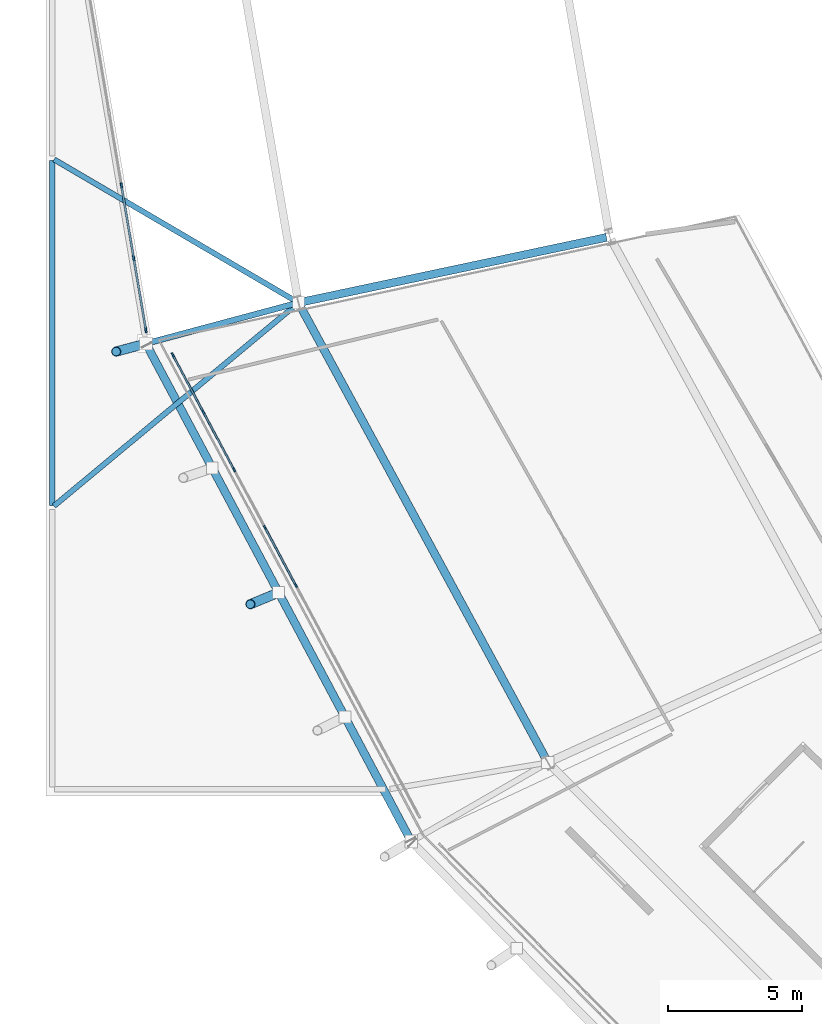
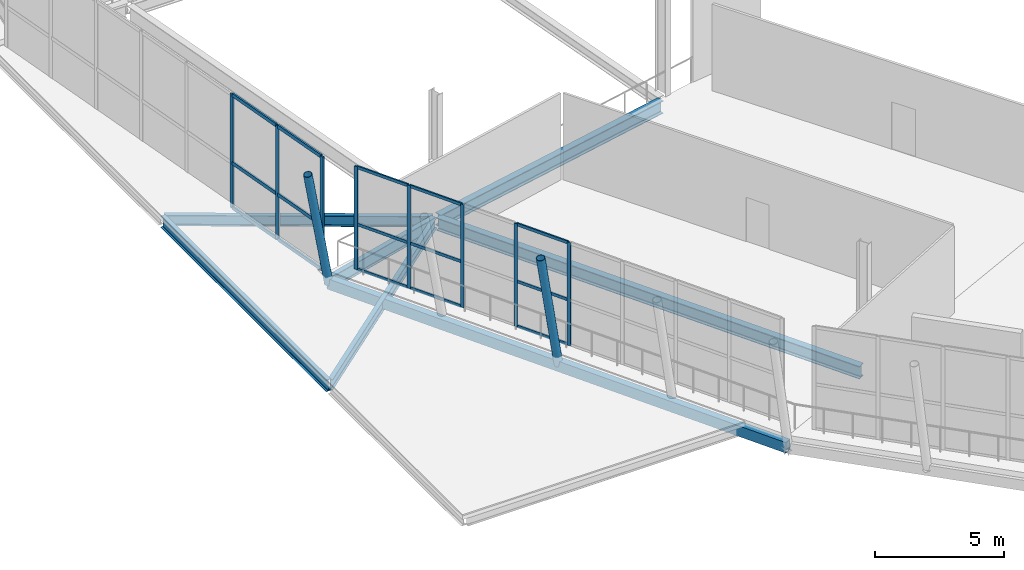
# One storey, part 18 of 99: 25 members, 7 beams, 2 elements without a shape of their own.
"""IFC4 building model written with IfcOpenShell, lengths in metres."""

from ifc_helpers import new_model, si_unit, direction, frame, origin, origin_2d, place, context, subcontext, project, spatial, rectangle, hollow_rectangle, hollow_circle, i_section, extrude, material, material_profile, profile_set, type_object, element, aggregate, save


model = new_model("IFC4")

# Units and contexts
model_context = context("Model", 3, precision=1e-05, world=origin(), true_north=direction((0.0, 1.0)))
body_context = subcontext(model_context, "Body", "Model", "MODEL_VIEW")
ifc_project = project(units=[si_unit("LENGTHUNIT", "METRE"), si_unit("AREAUNIT", "SQUARE_METRE"), si_unit("VOLUMEUNIT", "CUBIC_METRE"), si_unit("PLANEANGLEUNIT", "RADIAN"), si_unit("MASSUNIT", "GRAM", prefix="KILO")], contexts=[model_context])

# Site, building, storey
site_placement = place(None, origin())
site = spatial("IfcSite", under=ifc_project, at=site_placement, CompositionType="ELEMENT")
building_placement = place(site_placement, origin())
building = spatial("IfcBuilding", under=site, at=building_placement, Name="Zlatoyarsky Gate Stadium", CompositionType="ELEMENT")
storey_placement = place(building_placement, frame((0.0, 0.0, 26.199951171875)))
storey = spatial("IfcBuildingStorey", under=building, at=storey_placement, Name="L05", CompositionType="ELEMENT", Elevation=26.199951171875)

# Curtain wall, members
ifc_material_1 = material(Name="Thermally broken anodised aluminium curtain wall", Category="aluminium")
curtain_wall_type_1 = type_object("IfcCurtainWallType", Name="MONUMENTAL ARCHED GATE GLAZING UPPER", PredefinedType="USERDEFINED", material=ifc_material_1)
curtain_wall_1_placement = place(storey_placement, origin())
curtain_wall_1 = element("IfcCurtainWall", 1, at=curtain_wall_1_placement, inside=storey, type_object=curtain_wall_type_1, Name="Curtain wall CW-L05-12", ObjectType="ARCHED GATE GLAZING", PredefinedType="USERDEFINED")
ifc_material_2 = material(Name="Anodised aluminium 6063-T6", Category="aluminium")
ifc_material_profile_1 = material_profile(ifc_material_2, rectangle(XDim=0.074951171875, YDim=0.18994140625, at=origin_2d()), Name="ALU 75X190")
ifc_profile_set_1 = profile_set([ifc_material_profile_1], Name="Anodised aluminium 6063-T6")
member_type_1 = type_object("IfcMemberType", Name="ALUMINIUM GATE MULLION 75X190", PredefinedType="MULLION", material=ifc_profile_set_1)
member_1_placement = place(storey_placement, frame((14.574462890625, 65.992431640625, -0.260009765625), z_axis=(0.0, 0.0, 1.0), x_axis=(0.985957733522, 0.166995052945, 0.0)))
member_1 = element("IfcMember", 2, at=member_1_placement, type_object=member_type_1, Name="CW-AG2 mullion 6", PredefinedType="MULLION", context=body_context, shape_type="SweptSolid", body=[
    extrude(rectangle(XDim=0.074951171875, YDim=0.18994140625, at=origin_2d()), origin(), (0.0, 0.0, 1.0), 5.41015625),
])
member_2_placement = place(storey_placement, frame((15.033935546875, 63.27978515625, -0.260009765625), z_axis=(0.0, 0.0, 1.0), x_axis=(0.985957733522, 0.166995052945, 0.0)))
member_2 = element("IfcMember", 3, at=member_2_placement, type_object=member_type_1, Name="CW-AG2 mullion 7", PredefinedType="MULLION", context=body_context, shape_type="SweptSolid", body=[
    extrude(rectangle(XDim=0.074951171875, YDim=0.18994140625, at=origin_2d()), origin(), (0.0, 0.0, 1.0), 5.41015625),
])
member_3_placement = place(storey_placement, frame((15.487060546875, 60.603759765625, -0.260009765625), z_axis=(0.0, 0.0, 1.0), x_axis=(0.985957733522, 0.166995052945, 0.0)))
member_3 = element("IfcMember", 4, at=member_3_placement, type_object=member_type_1, Name="CW-AG2 mullion 8", PredefinedType="MULLION", context=body_context, shape_type="SweptSolid", body=[
    extrude(rectangle(XDim=0.074951171875, YDim=0.18994140625, at=origin_2d()), origin(), (0.0, 0.0, 1.0), 5.41015625),
])
ifc_material_profile_2 = material_profile(ifc_material_2, rectangle(XDim=0.074951171875, YDim=0.169921875, at=origin_2d()), Name="ALU 75X170")
ifc_profile_set_2 = profile_set([ifc_material_profile_2], Name="Anodised aluminium 6063-T6")
member_type_2 = type_object("IfcMemberType", Name="ALUMINIUM GATE TRANSOM 75X170", PredefinedType="USERDEFINED", material=ifc_profile_set_2)
member_4_placement = place(storey_placement, frame((14.58056640625, 65.95556640625, -0.222412109375), z_axis=(0.167016554853, -0.985954091429, 0.0), x_axis=(0.985954091429, 0.167016554853, 0.0)))
member_4 = element("IfcMember", 5, at=member_4_placement, type_object=member_type_2, Name="CW-AG2 transom 6.1", ObjectType="TRANSOM", PredefinedType="USERDEFINED", context=body_context, shape_type="SweptSolid", body=[
    extrude(rectangle(XDim=0.074951171875, YDim=0.169921875, at=origin_2d()), origin(), (0.0, 0.0, 1.0), 2.676513671875),
])
member_5_placement = place(storey_placement, frame((14.58056640625, 65.95556640625, 1.89013671875), z_axis=(0.167016554853, -0.985954091429, 0.0), x_axis=(0.985954091429, 0.167016554853, 0.0)))
member_5 = element("IfcMember", 6, at=member_5_placement, type_object=member_type_2, Name="CW-AG2 transom 6.2", ObjectType="TRANSOM", PredefinedType="USERDEFINED", context=body_context, shape_type="SweptSolid", body=[
    extrude(rectangle(XDim=0.074951171875, YDim=0.169921875, at=origin_2d()), origin(), (0.0, 0.0, 1.0), 2.676513671875),
])
member_6_placement = place(storey_placement, frame((14.58056640625, 65.95556640625, 5.112548828125), z_axis=(0.167016554853, -0.985954091429, 0.0), x_axis=(0.985954091429, 0.167016554853, 0.0)))
member_6 = element("IfcMember", 7, at=member_6_placement, type_object=member_type_2, Name="CW-AG2 transom 6.3", ObjectType="TRANSOM", PredefinedType="USERDEFINED", context=body_context, shape_type="SweptSolid", body=[
    extrude(rectangle(XDim=0.074951171875, YDim=0.169921875, at=origin_2d()), origin(), (0.0, 0.0, 1.0), 2.676513671875),
])
member_7_placement = place(storey_placement, frame((15.0400390625, 63.24267578125, -0.222412109375), z_axis=(0.166993906311, -0.985957927731, 0.0), x_axis=(0.985957927731, 0.166993906311, 0.0)))
member_7 = element("IfcMember", 8, at=member_7_placement, type_object=member_type_2, Name="CW-AG2 transom 7.1", ObjectType="TRANSOM", PredefinedType="USERDEFINED", context=body_context, shape_type="SweptSolid", body=[
    extrude(rectangle(XDim=0.074951171875, YDim=0.169921875, at=origin_2d()), origin(), (0.0, 0.0, 1.0), 2.638916015625),
])
member_8_placement = place(storey_placement, frame((15.0400390625, 63.24267578125, 1.89013671875), z_axis=(0.166993906311, -0.985957927731, 0.0), x_axis=(0.985957927731, 0.166993906311, 0.0)))
member_8 = element("IfcMember", 9, at=member_8_placement, type_object=member_type_2, Name="CW-AG2 transom 7.2", ObjectType="TRANSOM", PredefinedType="USERDEFINED", context=body_context, shape_type="SweptSolid", body=[
    extrude(rectangle(XDim=0.074951171875, YDim=0.169921875, at=origin_2d()), origin(), (0.0, 0.0, 1.0), 2.638916015625),
])
member_9_placement = place(storey_placement, frame((15.0400390625, 63.24267578125, 5.112548828125), z_axis=(0.166993906311, -0.985957927731, 0.0), x_axis=(0.985957927731, 0.166993906311, 0.0)))
member_9 = element("IfcMember", 10, at=member_9_placement, type_object=member_type_2, Name="CW-AG2 transom 7.3", ObjectType="TRANSOM", PredefinedType="USERDEFINED", context=body_context, shape_type="SweptSolid", body=[
    extrude(rectangle(XDim=0.074951171875, YDim=0.169921875, at=origin_2d()), origin(), (0.0, 0.0, 1.0), 2.638916015625),
])
aggregate(curtain_wall_1, [member_1, member_2, member_3, member_4, member_5, member_6, member_7, member_8, member_9])

curtain_wall_type_2 = type_object("IfcCurtainWallType", Name="UNITISED SKYBOX RING GLAZING L05", PredefinedType="USERDEFINED", material=ifc_material_1)
curtain_wall_2_placement = place(storey_placement, origin())
curtain_wall_2 = element("IfcCurtainWall", 11, at=curtain_wall_2_placement, inside=storey, type_object=curtain_wall_type_2, Name="Curtain wall CW-L05-13", ObjectType="UNITISED GLAZING", PredefinedType="USERDEFINED")
ifc_material_profile_3 = material_profile(ifc_material_2, rectangle(XDim=0.06494140625, YDim=0.159912109375, at=origin_2d()), Name="ALU 65X160")
ifc_profile_set_3 = profile_set([ifc_material_profile_3], Name="Anodised aluminium 6063-T6")
member_type_3 = type_object("IfcMemberType", Name="ALUMINIUM MULLION 65X160", PredefinedType="MULLION", material=ifc_profile_set_3)
member_10_placement = place(storey_placement, frame((16.488525390625, 59.681640625, 0.0), z_axis=(0.0, 0.0, 1.0), x_axis=(0.882166738191, 0.470937199667, 0.0)))
member_10 = element("IfcMember", 12, at=member_10_placement, type_object=member_type_3, Name="CW-UG5 mullion 1", PredefinedType="MULLION", context=body_context, shape_type="SweptSolid", body=[
    extrude(rectangle(XDim=0.06494140625, YDim=0.159912109375, at=origin_2d()), origin(), (0.0, 0.0, 1.0), 4.880126953125),
])
member_11_placement = place(storey_placement, frame((17.622802734375, 57.55712890625, 0.0), z_axis=(0.0, 0.0, 1.0), x_axis=(0.882166738191, 0.470937199667, 0.0)))
member_11 = element("IfcMember", 13, at=member_11_placement, type_object=member_type_3, Name="CW-UG5 mullion 2", PredefinedType="MULLION", context=body_context, shape_type="SweptSolid", body=[
    extrude(rectangle(XDim=0.06494140625, YDim=0.159912109375, at=origin_2d()), origin(), (0.0, 0.0, 1.0), 4.880126953125),
])
member_12_placement = place(storey_placement, frame((18.772216796875, 55.40380859375, 0.0), z_axis=(0.0, 0.0, 1.0), x_axis=(0.882166738191, 0.470937199667, 0.0)))
member_12 = element("IfcMember", 14, at=member_12_placement, type_object=member_type_3, Name="CW-UG5 mullion 3", PredefinedType="MULLION", context=body_context, shape_type="SweptSolid", body=[
    extrude(rectangle(XDim=0.06494140625, YDim=0.159912109375, at=origin_2d()), origin(), (0.0, 0.0, 1.0), 4.880126953125),
])
member_13_placement = place(storey_placement, frame((19.921875, 53.25048828125, 0.0), z_axis=(0.0, 0.0, 1.0), x_axis=(0.882166738191, 0.470937199667, 0.0)))
member_13 = element("IfcMember", 15, at=member_13_placement, type_object=member_type_3, Name="CW-UG5 mullion 4", PredefinedType="MULLION", context=body_context, shape_type="SweptSolid", body=[
    extrude(rectangle(XDim=0.06494140625, YDim=0.159912109375, at=origin_2d()), origin(), (0.0, 0.0, 1.0), 4.880126953125),
])
member_14_placement = place(storey_placement, frame((21.0712890625, 51.097412109375, 0.0), z_axis=(0.0, 0.0, 1.0), x_axis=(0.882166738191, 0.470937199667, 0.0)))
member_14 = element("IfcMember", 16, at=member_14_placement, type_object=member_type_3, Name="CW-UG5 mullion 5", PredefinedType="MULLION", context=body_context, shape_type="SweptSolid", body=[
    extrude(rectangle(XDim=0.06494140625, YDim=0.159912109375, at=origin_2d()), origin(), (0.0, 0.0, 1.0), 4.880126953125),
])
ifc_material_profile_4 = material_profile(ifc_material_2, rectangle(XDim=0.06494140625, YDim=0.139892578125, at=origin_2d()), Name="ALU 65X140")
ifc_profile_set_4 = profile_set([ifc_material_profile_4], Name="Anodised aluminium 6063-T6")
member_type_4 = type_object("IfcMemberType", Name="ALUMINIUM TRANSOM 65X140", PredefinedType="USERDEFINED", material=ifc_profile_set_4)
member_15_placement = place(storey_placement, frame((16.50390625, 59.653076171875, 0.032470703125), z_axis=(0.47089101284, -0.882191393081, 0.0), x_axis=(0.882191393081, 0.47089101284, 0.0)))
member_15 = element("IfcMember", 17, at=member_15_placement, type_object=member_type_4, Name="CW-UG5 transom 1.1", ObjectType="TRANSOM", PredefinedType="USERDEFINED", context=body_context, shape_type="SweptSolid", body=[
    extrude(rectangle(XDim=0.06494140625, YDim=0.139892578125, at=origin_2d()), origin(), (0.0, 0.0, 1.0), 2.343505859375),
])
member_16_placement = place(storey_placement, frame((16.50390625, 59.653076171875, 2.150146484375), z_axis=(0.47089101284, -0.882191393081, 0.0), x_axis=(0.882191393081, 0.47089101284, 0.0)))
member_16 = element("IfcMember", 18, at=member_16_placement, type_object=member_type_4, Name="CW-UG5 transom 1.2", ObjectType="TRANSOM", PredefinedType="USERDEFINED", context=body_context, shape_type="SweptSolid", body=[
    extrude(rectangle(XDim=0.06494140625, YDim=0.139892578125, at=origin_2d()), origin(), (0.0, 0.0, 1.0), 2.343505859375),
])
member_17_placement = place(storey_placement, frame((16.50390625, 59.653076171875, 4.84765625), z_axis=(0.47089101284, -0.882191393081, 0.0), x_axis=(0.882191393081, 0.47089101284, 0.0)))
member_17 = element("IfcMember", 19, at=member_17_placement, type_object=member_type_4, Name="CW-UG5 transom 1.3", ObjectType="TRANSOM", PredefinedType="USERDEFINED", context=body_context, shape_type="SweptSolid", body=[
    extrude(rectangle(XDim=0.06494140625, YDim=0.139892578125, at=origin_2d()), origin(), (0.0, 0.0, 1.0), 2.343505859375),
])
member_18_placement = place(storey_placement, frame((17.63818359375, 57.5283203125, 0.032470703125), z_axis=(0.470977563195, -0.882145189278, 0.0), x_axis=(0.882145189278, 0.470977563195, 0.0)))
member_18 = element("IfcMember", 20, at=member_18_placement, type_object=member_type_4, Name="CW-UG5 transom 2.1", ObjectType="TRANSOM", PredefinedType="USERDEFINED", context=body_context, shape_type="SweptSolid", body=[
    extrude(rectangle(XDim=0.06494140625, YDim=0.139892578125, at=origin_2d()), origin(), (0.0, 0.0, 1.0), 2.375732421875),
])
member_19_placement = place(storey_placement, frame((17.63818359375, 57.5283203125, 2.150146484375), z_axis=(0.470977563195, -0.882145189278, 0.0), x_axis=(0.882145189278, 0.470977563195, 0.0)))
member_19 = element("IfcMember", 21, at=member_19_placement, type_object=member_type_4, Name="CW-UG5 transom 2.2", ObjectType="TRANSOM", PredefinedType="USERDEFINED", context=body_context, shape_type="SweptSolid", body=[
    extrude(rectangle(XDim=0.06494140625, YDim=0.139892578125, at=origin_2d()), origin(), (0.0, 0.0, 1.0), 2.375732421875),
])
member_20_placement = place(storey_placement, frame((17.63818359375, 57.5283203125, 4.84765625), z_axis=(0.470977563195, -0.882145189278, 0.0), x_axis=(0.882145189278, 0.470977563195, 0.0)))
member_20 = element("IfcMember", 22, at=member_20_placement, type_object=member_type_4, Name="CW-UG5 transom 2.3", ObjectType="TRANSOM", PredefinedType="USERDEFINED", context=body_context, shape_type="SweptSolid", body=[
    extrude(rectangle(XDim=0.06494140625, YDim=0.139892578125, at=origin_2d()), origin(), (0.0, 0.0, 1.0), 2.375732421875),
])
member_21_placement = place(storey_placement, frame((19.93701171875, 53.221923828125, 0.032470703125), z_axis=(0.470934870173, -0.882167981767, 0.0), x_axis=(0.882167981767, 0.470934870173, 0.0)))
member_21 = element("IfcMember", 23, at=member_21_placement, type_object=member_type_4, Name="CW-UG5 transom 4.1", ObjectType="TRANSOM", PredefinedType="USERDEFINED", context=body_context, shape_type="SweptSolid", body=[
    extrude(rectangle(XDim=0.06494140625, YDim=0.139892578125, at=origin_2d()), origin(), (0.0, 0.0, 1.0), 2.3759765625),
])
member_22_placement = place(storey_placement, frame((19.93701171875, 53.221923828125, 2.150146484375), z_axis=(0.470934870173, -0.882167981767, 0.0), x_axis=(0.882167981767, 0.470934870173, 0.0)))
member_22 = element("IfcMember", 24, at=member_22_placement, type_object=member_type_4, Name="CW-UG5 transom 4.2", ObjectType="TRANSOM", PredefinedType="USERDEFINED", context=body_context, shape_type="SweptSolid", body=[
    extrude(rectangle(XDim=0.06494140625, YDim=0.139892578125, at=origin_2d()), origin(), (0.0, 0.0, 1.0), 2.3759765625),
])
member_23_placement = place(storey_placement, frame((19.93701171875, 53.221923828125, 4.84765625), z_axis=(0.470934870173, -0.882167981767, 0.0), x_axis=(0.882167981767, 0.470934870173, 0.0)))
member_23 = element("IfcMember", 25, at=member_23_placement, type_object=member_type_4, Name="CW-UG5 transom 4.3", ObjectType="TRANSOM", PredefinedType="USERDEFINED", context=body_context, shape_type="SweptSolid", body=[
    extrude(rectangle(XDim=0.06494140625, YDim=0.139892578125, at=origin_2d()), origin(), (0.0, 0.0, 1.0), 2.3759765625),
])
aggregate(curtain_wall_2, [member_10, member_11, member_12, member_13, member_14, member_15, member_16, member_17, member_18, member_19, member_20, member_21, member_22, member_23])

# Beams
ifc_material_3 = material(Name="Steel S355", Category="steel")
ifc_material_profile_5 = material_profile(ifc_material_3, i_section(OverallWidth=0.219970703125, OverallDepth=0.60009765625, WebThickness=0.011962890625, FlangeThickness=0.01904296875, FilletRadius=0.02392578125, at=origin_2d()), Name="IPE 600")
ifc_profile_set_5 = profile_set([ifc_material_profile_5], Name="Steel S355")
beam_type_1 = type_object("IfcBeamType", Name="STEEL CANTILEVER FLOOR BEAM IPE 600", PredefinedType="BEAM", material=ifc_profile_set_5)
beam_1_placement = place(storey_placement, frame((21.052978515625, 61.5927734375, -0.56005859375), z_axis=(-0.965927422152, -0.258813089189, 0.0), x_axis=(0.258813089189, -0.965927422152, 0.0)))
element("IfcBeam", 26, at=beam_1_placement, inside=storey, type_object=beam_type_1, Name="Beam B-IPE600 BM-L05-OUT-13", PredefinedType="BEAM", context=body_context, shape_type="SweptSolid", body=[
    extrude(i_section(OverallWidth=0.219970703125, OverallDepth=0.60009765625, WebThickness=0.011962890625, FlangeThickness=0.01904296875, FilletRadius=0.02392578125, at=origin_2d()), origin(), (0.0, 0.0, 1.0), 5.758056640625),
])
ifc_material_profile_6 = material_profile(ifc_material_3, i_section(OverallWidth=0.199951171875, OverallDepth=0.5, WebThickness=0.01025390625, FlangeThickness=0.01611328125, FilletRadius=0.02099609375, at=origin_2d()), Name="IPE 500")
ifc_profile_set_6 = profile_set([ifc_material_profile_6], Name="Steel S355")
beam_type_2 = type_object("IfcBeamType", Name="STEEL FLOOR BEAM IPE 500", PredefinedType="BEAM", material=ifc_profile_set_6)
beam_2_placement = place(storey_placement, frame((12.0615234375, 54.051025390625, -0.510009765625), z_axis=(0.768913795001, 0.63935246606, 0.0), x_axis=(-0.63935246606, 0.768913795001, 0.0)))
element("IfcBeam", 27, at=beam_2_placement, inside=storey, type_object=beam_type_2, Name="Beam B-IPE500 BM-L05-WRF-W2", PredefinedType="BEAM", context=body_context, shape_type="SweptSolid", body=[
    extrude(i_section(OverallWidth=0.199951171875, OverallDepth=0.5, WebThickness=0.01025390625, FlangeThickness=0.01611328125, FilletRadius=0.02099609375, at=origin_2d()), origin(), (0.0, 0.0, 1.0), 11.724609375),
])
beam_3_placement = place(storey_placement, frame((12.069091796875, 66.95947265625, -0.510009765625), z_axis=(0.862648306974, -0.505804209625, 0.0), x_axis=(0.505804209625, 0.862648306974, 0.0)))
element("IfcBeam", 28, at=beam_3_placement, inside=storey, type_object=beam_type_2, Name="Beam B-IPE500 BM-L05-WRF-W3", PredefinedType="BEAM", context=body_context, shape_type="SweptSolid", body=[
    extrude(i_section(OverallWidth=0.199951171875, OverallDepth=0.5, WebThickness=0.01025390625, FlangeThickness=0.01611328125, FilletRadius=0.02099609375, at=origin_2d()), origin(), (0.0, 0.0, 1.0), 10.4287109375),
])
ifc_material_profile_7 = material_profile(ifc_material_3, i_section(OverallWidth=0.2099609375, OverallDepth=0.550048828125, WebThickness=0.010986328125, FlangeThickness=0.01708984375, FilletRadius=0.02392578125, at=origin_2d()), Name="IPE 550")
ifc_profile_set_7 = profile_set([ifc_material_profile_7], Name="Steel S355")
beam_type_3 = type_object("IfcBeamType", Name="STEEL FLOOR BEAM IPE 550", PredefinedType="BEAM", material=ifc_profile_set_7)
beam_4_placement = place(storey_placement, frame((12.0, 54.080078125, -0.534912109375), z_axis=(0.0, 1.0, 0.0), x_axis=(-1.0, 0.0, 0.0)))
element("IfcBeam", 29, at=beam_4_placement, inside=storey, type_object=beam_type_3, Name="Beam B-IPE550 BM-L05-WGY-2-F", PredefinedType="BEAM", context=body_context, shape_type="SweptSolid", body=[
    extrude(i_section(OverallWidth=0.2099609375, OverallDepth=0.550048828125, WebThickness=0.010986328125, FlangeThickness=0.01708984375, FilletRadius=0.02392578125, at=origin_2d()), origin(), (0.0, 0.0, 1.0), 12.83984375),
])

# Members
ifc_material_profile_8 = material_profile(ifc_material_3, hollow_circle(Radius=0.177734375, WallThickness=0.02001953125, at=origin_2d()), Name="CHS 355.6X20")
ifc_profile_set_8 = profile_set([ifc_material_profile_8], Name="Steel S355")
member_type_5 = type_object("IfcMemberType", Name="STEEL LEANING RIB RING STRUT CHS 355.6X20", PredefinedType="STRUT", material=ifc_profile_set_8)
member_24_placement = place(storey_placement, frame((15.4912109375, 60.1025390625, -0.56005859375), z_axis=(-0.190625969034, -0.051093460038, 0.980332187716), x_axis=(0.258891781195, -0.965906333777, 0.0)))
element("IfcMember", 30, at=member_24_placement, inside=storey, type_object=member_type_5, Name="Upper leaning rib ring strut 13", PredefinedType="STRUT", context=body_context, shape_type="SweptSolid", body=[
    extrude(hollow_circle(Radius=0.177734375, WallThickness=0.02001953125, at=origin_2d()), origin(), (0.0, 0.0, 1.0), 5.82470703125),
])
member_25_placement = place(storey_placement, frame((20.43017578125, 50.831787109375, -0.510009765625), z_axis=(-0.182372642512, -0.075562233287, 0.980321665661), x_axis=(0.382774280043, -0.923841896938, 0.0)))
element("IfcMember", 31, at=member_25_placement, inside=storey, type_object=member_type_5, Name="Outward-leaning bowl louvre fin rib L05 13-2", PredefinedType="STRUT", context=body_context, shape_type="SweptSolid", body=[
    extrude(hollow_circle(Radius=0.177734375, WallThickness=0.02001953125, at=origin_2d()), origin(), (0.0, 0.0, 1.0), 5.773681640625),
])

# Beams
ifc_material_profile_9 = material_profile(ifc_material_3, hollow_rectangle(XDim=0.300048828125, YDim=0.5, WallThickness=0.02001953125, at=origin_2d()), Name="RHS 500X300X20")
ifc_profile_set_9 = profile_set([ifc_material_profile_9], Name="Steel S355")
beam_type_4 = type_object("IfcBeamType", Name="STEEL LOUVRE CARRIER SPANDREL RHS 500X300X20", PredefinedType="SPANDREL", material=ifc_profile_set_9)
beam_5_placement = place(storey_placement, frame((15.50048828125, 60.084716796875, -0.510009765625), z_axis=(0.470187523568, -0.882566537254, 0.0), x_axis=(0.882566537254, 0.470187523568, 0.0)))
element("IfcBeam", 32, at=beam_5_placement, inside=storey, type_object=beam_type_4, Name="Beam SP-RHS500 BM-L05-SPD-13", PredefinedType="SPANDREL", context=body_context, shape_type="SweptSolid", body=[
    extrude(hollow_rectangle(XDim=0.300048828125, YDim=0.5, WallThickness=0.02001953125, at=origin_2d()), origin(), (0.0, 0.0, 1.0), 20.968505859375),
])
ifc_material_profile_10 = material_profile(ifc_material_3, i_section(OverallWidth=0.300048828125, OverallDepth=0.60009765625, WebThickness=0.015380859375, FlangeThickness=0.030029296875, FilletRadius=0.027099609375, at=origin_2d()), Name="HEB 600")
ifc_profile_set_10 = profile_set([ifc_material_profile_10], Name="Steel S355")
beam_type_5 = type_object("IfcBeamType", Name="STEEL PRIMARY GIRDER HEB 600", PredefinedType="BEAM", material=ifc_profile_set_10)
beam_6_placement = place(storey_placement, frame((32.642578125, 64.0576171875, -0.56005859375), z_axis=(-0.978233348926, -0.207507867438, 0.0), x_axis=(0.207507867438, -0.978233348926, 0.0)))
element("IfcBeam", 33, at=beam_6_placement, inside=storey, type_object=beam_type_5, Name="Beam G-HEB600 BM-L05-RBC-13", PredefinedType="BEAM", context=body_context, shape_type="SweptSolid", body=[
    extrude(i_section(OverallWidth=0.300048828125, OverallDepth=0.60009765625, WebThickness=0.015380859375, FlangeThickness=0.030029296875, FilletRadius=0.027099609375, at=origin_2d()), origin(), (0.0, 0.0, 1.0), 11.60888671875),
])
beam_7_placement = place(storey_placement, frame((21.22607421875, 61.518310546875, -0.56005859375), z_axis=(0.476891650323, -0.878962088973, 0.0), x_axis=(0.878962088973, 0.476891650323, 0.0)))
element("IfcBeam", 34, at=beam_7_placement, inside=storey, type_object=beam_type_5, Name="Beam G-HEB600 BM-L05-CRC-13", PredefinedType="BEAM", context=body_context, shape_type="SweptSolid", body=[
    extrude(i_section(OverallWidth=0.300048828125, OverallDepth=0.60009765625, WebThickness=0.015380859375, FlangeThickness=0.030029296875, FilletRadius=0.027099609375, at=origin_2d()), origin(), (0.0, 0.0, 1.0), 19.241943359375),
])

save(model, "model.ifc")
